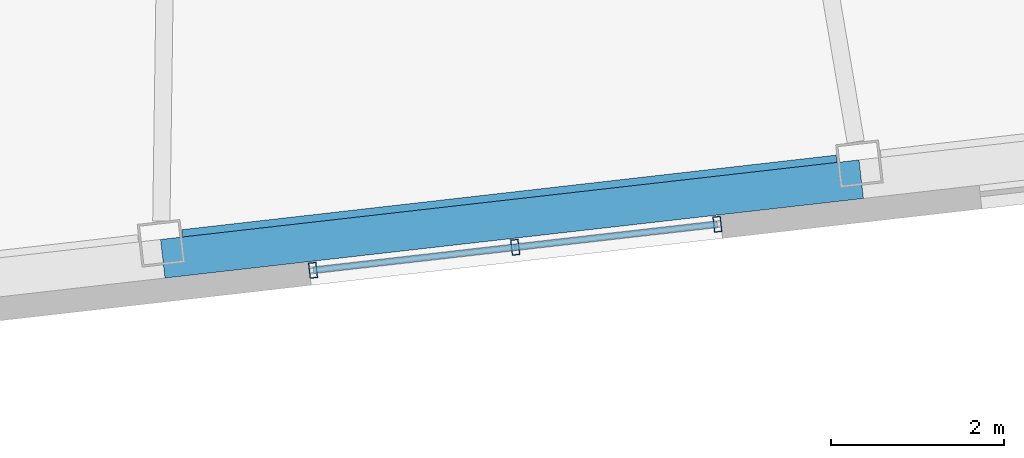
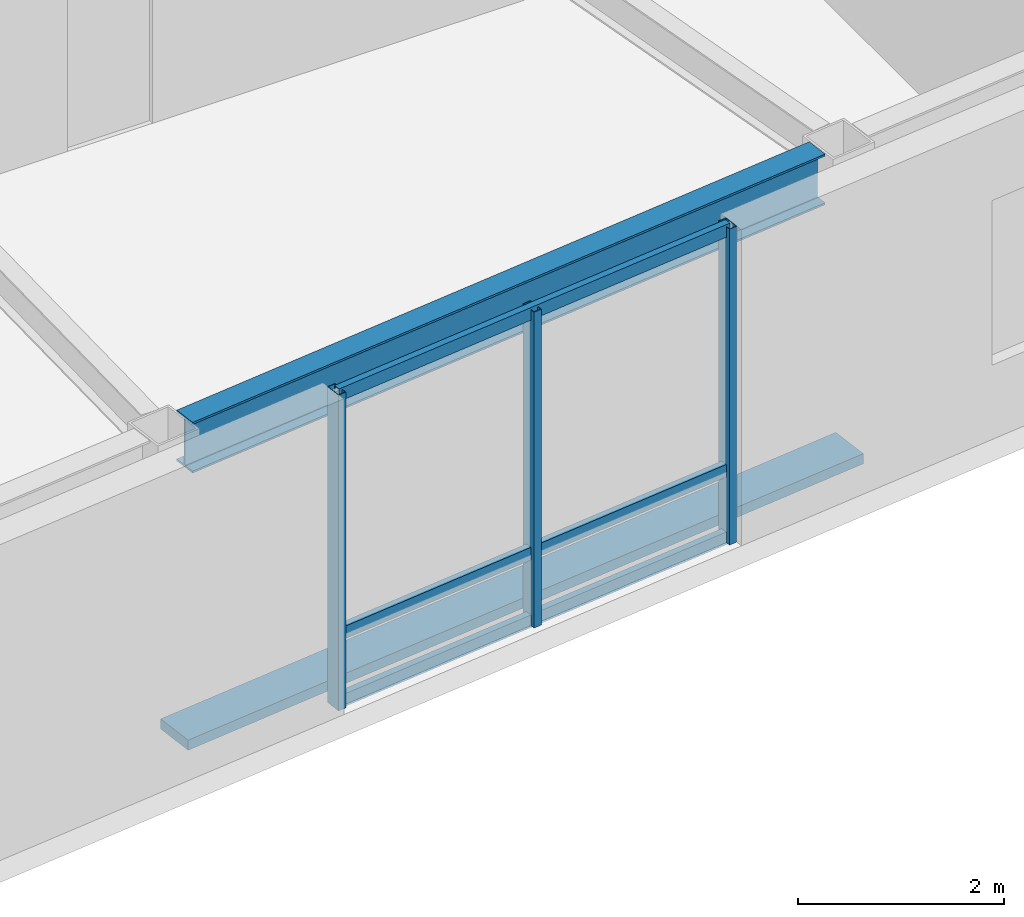
# One storey, part 6 of 18: 7 members, 1 beam, 1 element without a shape of its own.
"""IFC4 building model written with IfcOpenShell, lengths in metres."""

from ifc_helpers import new_model, si_unit, direction, frame, origin, origin_2d, place, context, subcontext, project, spatial, rectangle, hollow_rectangle, i_section, extrude, material, layer, layer_set, material_profile, profile_set, type_object, element, aggregate, save


model = new_model("IFC4")

# Units and contexts
model_context = context("Model", 3, precision=1e-05, world=origin(), true_north=direction((0.0, 1.0)))
body_context = subcontext(model_context, "Body", "Model", "MODEL_VIEW")
ifc_project = project(units=[si_unit("LENGTHUNIT", "METRE"), si_unit("AREAUNIT", "SQUARE_METRE"), si_unit("VOLUMEUNIT", "CUBIC_METRE"), si_unit("PLANEANGLEUNIT", "RADIAN"), si_unit("MASSUNIT", "GRAM", prefix="KILO")], contexts=[model_context])

# Site, building, storey
site_placement = place(None, origin())
site = spatial("IfcSite", under=ifc_project, at=site_placement, CompositionType="ELEMENT")
building_placement = place(site_placement, origin())
building = spatial("IfcBuilding", under=site, at=building_placement, Name="Tavrogorsk Clinical Tower", CompositionType="ELEMENT")
storey_placement = place(building_placement, frame((0.0, 0.0, 230.199951171875)))
storey = spatial("IfcBuildingStorey", under=building, at=storey_placement, Name="L53", CompositionType="ELEMENT", Elevation=230.199951171875)

# Member
ifc_material_1 = material(Name="Anodised aluminium alloy AW-6063", Category="aluminium")
ifc_material_profile_1 = material_profile(ifc_material_1, rectangle(XDim=0.449951171875, YDim=0.1201171875, at=origin_2d()), Name="ALU-SUNSHADE-450x120")
ifc_profile_set_1 = profile_set([ifc_material_profile_1], Name="Anodised aluminium alloy AW-6063")
member_type_1 = type_object("IfcMemberType", Name="ChicagoSunshade_450x120", PredefinedType="USERDEFINED", material=ifc_profile_set_1)
member_1_placement = place(storey_placement, frame((4.240478515625, -19.29150390625, 0.179931640625), z_axis=(0.9935729766, 0.113193375116, 0.0), x_axis=(-0.113193375116, 0.9935729766, 0.0)))
element("IfcMember", 1, at=member_1_placement, inside=storey, type_object=member_type_1, Name="L53 South Aluminium Sunshade S5", ObjectType="SUNSHADE", PredefinedType="USERDEFINED", context=body_context, shape_type="SweptSolid", body=[
    extrude(rectangle(XDim=0.449951171875, YDim=0.1201171875, at=origin_2d()), origin(), (0.0, 0.0, 1.0), 8.148681640625),
])

# Curtain wall, members
ifc_material_2 = material(Name="Anodised aluminium and triple IGU glazing", Category="aluminium")
ifc_layer = layer(ifc_material_2, 0.179931640625)
ifc_layer_set = layer_set([ifc_layer], Name="Anodised aluminium and triple IGU glazing")
curtain_wall_type = type_object("IfcCurtainWallType", Name="CW3_SouthSlot", PredefinedType="NOTDEFINED", material=ifc_layer_set)
curtain_wall_placement = place(storey_placement, origin())
curtain_wall = element("IfcCurtainWall", 2, at=curtain_wall_placement, inside=storey, type_object=curtain_wall_type, Name="L53 Curtain Wall CW-L53-S-SLOT-2", PredefinedType="NOTDEFINED")
ifc_material_3 = material(Name="Anodised aluminium alloy AW-6060", Category="aluminium")
ifc_material_profile_2 = material_profile(ifc_material_3, hollow_rectangle(XDim=0.090087890625, YDim=0.179931640625, WallThickness=0.00634765625, at=origin_2d()), Name="RHS-180x90x6.3")
ifc_profile_set_2 = profile_set([ifc_material_profile_2], Name="Anodised aluminium alloy AW-6060")
member_type_2 = type_object("IfcMemberType", Name="CwMullion_180x90", PredefinedType="MULLION", material=ifc_profile_set_2)
member_2_placement = place(storey_placement, frame((5.982177734375, -19.42529296875, 0.0), z_axis=(0.0, 0.0, 1.0), x_axis=(0.993571855603, 0.11320321441, 0.0)))
member_2 = element("IfcMember", 3, at=member_2_placement, type_object=member_type_2, Name="CW-L53-S-SLOT-2 Mullion 1", PredefinedType="MULLION", context=body_context, shape_type="SweptSolid", body=[
    extrude(hollow_rectangle(XDim=0.090087890625, YDim=0.179931640625, WallThickness=0.00634765625, at=origin_2d()), origin(), (0.0, 0.0, 1.0), 3.739990234375),
])
member_3_placement = place(storey_placement, frame((8.325927734375, -19.158203125, 0.0), z_axis=(0.0, 0.0, 1.0), x_axis=(0.993571855603, 0.11320321441, 0.0)))
member_3 = element("IfcMember", 4, at=member_3_placement, type_object=member_type_2, Name="CW-L53-S-SLOT-2 Mullion 2", PredefinedType="MULLION", context=body_context, shape_type="SweptSolid", body=[
    extrude(hollow_rectangle(XDim=0.090087890625, YDim=0.179931640625, WallThickness=0.00634765625, at=origin_2d()), origin(), (0.0, 0.0, 1.0), 3.739990234375),
])
member_4_placement = place(storey_placement, frame((10.669677734375, -18.89111328125, 0.0), z_axis=(0.0, 0.0, 1.0), x_axis=(0.993571855603, 0.11320321441, 0.0)))
member_4 = element("IfcMember", 5, at=member_4_placement, type_object=member_type_2, Name="CW-L53-S-SLOT-2 Mullion 3", PredefinedType="MULLION", context=body_context, shape_type="SweptSolid", body=[
    extrude(hollow_rectangle(XDim=0.090087890625, YDim=0.179931640625, WallThickness=0.00634765625, at=origin_2d()), origin(), (0.0, 0.0, 1.0), 3.739990234375),
])
ifc_material_4 = material(Name="Anodised aluminium alloy AW-6060", Category="aluminium")
ifc_material_profile_3 = material_profile(ifc_material_4, hollow_rectangle(XDim=0.074951171875, YDim=0.14990234375, WallThickness=0.0048828125, at=origin_2d()), Name="RHS-150x75x5")
ifc_profile_set_3 = profile_set([ifc_material_profile_3], Name="Anodised aluminium alloy AW-6060")
member_type_3 = type_object("IfcMemberType", Name="CwTransom_150x75", PredefinedType="USERDEFINED", material=ifc_profile_set_3)
member_5_placement = place(storey_placement, frame((5.982177734375, -19.42529296875, 0.050048828125), z_axis=(0.993569315854, 0.113225503286, 0.0), x_axis=(-0.113225503286, 0.993569315854, 0.0)))
member_5 = element("IfcMember", 6, at=member_5_placement, type_object=member_type_3, Name="CW-L53-S-SLOT-2 Transom 1", ObjectType="TRANSOM", PredefinedType="USERDEFINED", context=body_context, shape_type="SweptSolid", body=[
    extrude(hollow_rectangle(XDim=0.074951171875, YDim=0.14990234375, WallThickness=0.0048828125, at=origin_2d()), origin(), (0.0, 0.0, 1.0), 4.7177734375),
])
member_6_placement = place(storey_placement, frame((5.982177734375, -19.42529296875, 0.85009765625), z_axis=(0.993569315854, 0.113225503286, 0.0), x_axis=(-0.113225503286, 0.993569315854, 0.0)))
member_6 = element("IfcMember", 7, at=member_6_placement, type_object=member_type_3, Name="CW-L53-S-SLOT-2 Transom 2", ObjectType="TRANSOM", PredefinedType="USERDEFINED", context=body_context, shape_type="SweptSolid", body=[
    extrude(hollow_rectangle(XDim=0.074951171875, YDim=0.14990234375, WallThickness=0.0048828125, at=origin_2d()), origin(), (0.0, 0.0, 1.0), 4.7177734375),
])
member_7_placement = place(storey_placement, frame((5.982177734375, -19.42529296875, 3.68994140625), z_axis=(0.993569315854, 0.113225503286, 0.0), x_axis=(-0.113225503286, 0.993569315854, 0.0)))
member_7 = element("IfcMember", 8, at=member_7_placement, type_object=member_type_3, Name="CW-L53-S-SLOT-2 Transom 3", ObjectType="TRANSOM", PredefinedType="USERDEFINED", context=body_context, shape_type="SweptSolid", body=[
    extrude(hollow_rectangle(XDim=0.074951171875, YDim=0.14990234375, WallThickness=0.0048828125, at=origin_2d()), origin(), (0.0, 0.0, 1.0), 4.7177734375),
])
aggregate(curtain_wall, [member_2, member_3, member_4, member_5, member_6, member_7])

# Beam
ifc_material_5 = material(Name="Structural steel S390", Category="steel")
ifc_material_profile_4 = material_profile(ifc_material_5, i_section(OverallWidth=0.260009765625, OverallDepth=0.60009765625, WebThickness=0.014892578125, FlangeThickness=0.02392578125, at=origin_2d()), Name="B-600x260x15x24")
ifc_profile_set_4 = profile_set([ifc_material_profile_4], Name="Structural steel S390")
beam_type = type_object("IfcBeamType", Name="SpandrelBeam_B600", PredefinedType="SPANDREL", material=ifc_profile_set_4)
beam_placement = place(storey_placement, frame((4.476318359375, -19.08349609375, 3.43994140625), z_axis=(0.993572509708, 0.113197473259, 0.0), x_axis=(-0.113197473259, 0.993572509708, 0.0)))
element("IfcBeam", 9, at=beam_placement, inside=storey, type_object=beam_type, Name="L53 Perimeter Spandrel S5-S6", PredefinedType="SPANDREL", context=body_context, shape_type="SweptSolid", body=[
    extrude(i_section(OverallWidth=0.260009765625, OverallDepth=0.60009765625, WebThickness=0.014892578125, FlangeThickness=0.02392578125, at=origin_2d()), origin(), (0.0, 0.0, 1.0), 7.6328125),
])

save(model, "model.ifc")
